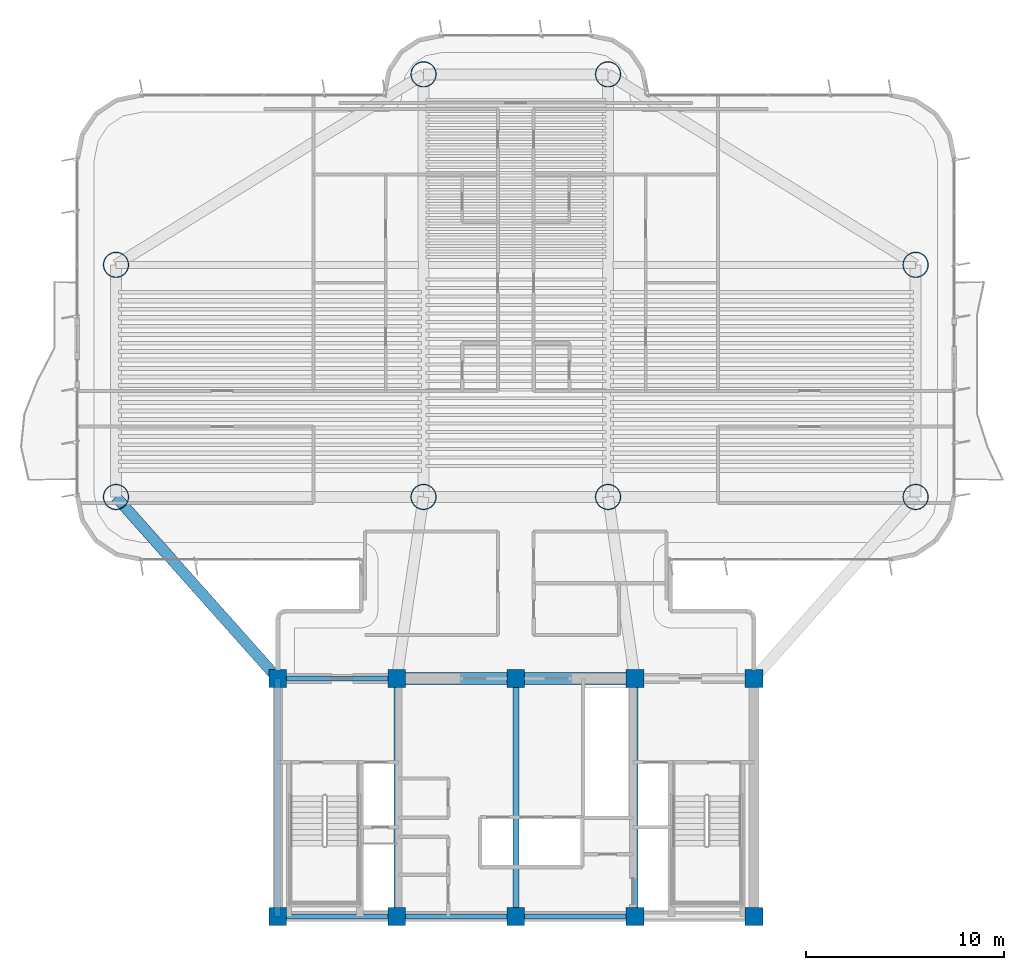
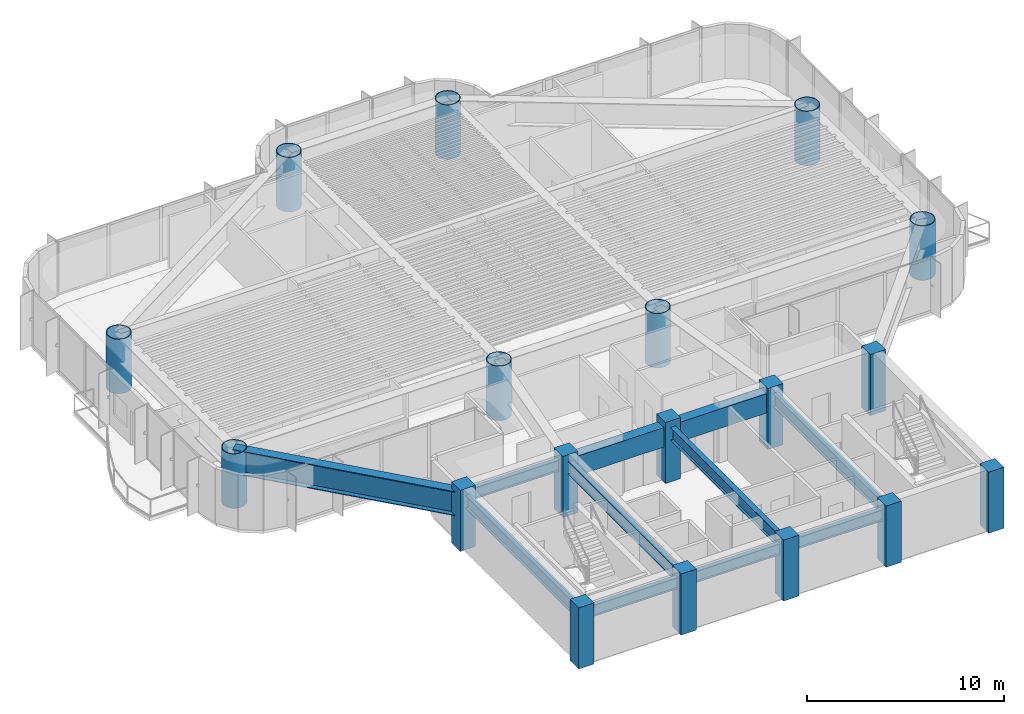
# One storey, part 1 of 15: 18 columns, 10 beams.
"""IFC4 building model written with IfcOpenShell, lengths in metres."""

from ifc_helpers import new_model, si_unit, direction, frame, origin, origin_2d, place, context, subcontext, project, spatial, rectangle, hollow_circle, i_section, extrude, source, transform, mapped, material, material_profile, profile_set, type_object, element, save


model = new_model("IFC4")

# Units and contexts
model_context = context("Model", 3, precision=1e-05, world=origin(), true_north=direction((0.0, 1.0)))
body_context = subcontext(model_context, "Body", "Model", "MODEL_VIEW")
ifc_project = project(units=[si_unit("LENGTHUNIT", "METRE"), si_unit("AREAUNIT", "SQUARE_METRE"), si_unit("VOLUMEUNIT", "CUBIC_METRE"), si_unit("PLANEANGLEUNIT", "RADIAN"), si_unit("MASSUNIT", "GRAM", prefix="KILO")], contexts=[model_context])

# Site, building, storey
site_placement = place(None, origin())
site = spatial("IfcSite", under=ifc_project, at=site_placement, CompositionType="ELEMENT")
building_placement = place(site_placement, origin())
building = spatial("IfcBuilding", under=site, at=building_placement, Name="Brelvock Crest Care Tower", CompositionType="ELEMENT")
storey_placement = place(building_placement, frame((0.0, 0.0, 142.739990234375)))
storey = spatial("IfcBuildingStorey", under=building, at=storey_placement, Name="L36", CompositionType="ELEMENT", Elevation=142.739990234375)

# Columns
ifc_material_1 = material(Name="Concrete S80 (80 MPa)", Category="concrete")
ifc_material_profile_1 = material_profile(ifc_material_1, rectangle(XDim=0.89990234375, YDim=0.89990234375, at=origin_2d()), Name="RC900x900")
ifc_profile_set_1 = profile_set([ifc_material_profile_1], Name="Concrete S80 (80 MPa)")
column_type_1 = type_object("IfcColumnType", Name="COL-RC2", PredefinedType="COLUMN", material=ifc_profile_set_1)
shared_shape_1 = source(origin(), body_context, "Body", "SweptSolid", [
    extrude(rectangle(XDim=0.89990234375, YDim=0.89990234375, at=origin_2d()), origin(), (0.0, 0.0, 1.0), 3.780029296875),
])
for number, where, z_axis, x_axis, name in (
    (1, (24.0, 6.0, 0.0), (0.0, 0.0, 1.0), (1.0, 0.0, 0.0), "L36 Core Column CC-01"),
    (2, (30.0, 6.0, 0.0), (0.0, 0.0, 1.0), (1.0, 0.0, 0.0), "L36 Core Column CC-02"),
    (3, (36.0, 6.0, 0.0), (0.0, 0.0, 1.0), (1.0, 0.0, 0.0), "L36 Core Column CC-03"),
    (4, (42.0, 6.0, 0.0), (0.0, 0.0, 1.0), (1.0, 0.0, 0.0), "L36 Core Column CC-04"),
    (5, (48.0, 6.0, 0.0), (0.0, 0.0, 1.0), (1.0, 0.0, 0.0), "L36 Core Column CC-05"),
    (6, (24.0, 18.0, 0.0), (0.0, 0.0, 1.0), (1.0, 0.0, 0.0), "L36 Core Column CC-06"),
    (7, (30.0, 18.0, 0.0), (0.0, 0.0, 1.0), (1.0, 0.0, 0.0), "L36 Core Column CC-07"),
    (8, (36.0, 18.0, 0.0), (0.0, 0.0, 1.0), (1.0, 0.0, 0.0), "L36 Core Column CC-08"),
    (9, (42.0, 18.0, 0.0), (0.0, 0.0, 1.0), (1.0, 0.0, 0.0), "L36 Core Column CC-09"),
    (10, (48.0, 18.0, 0.0), (0.0, 0.0, 1.0), (1.0, 0.0, 0.0), "L36 Core Column CC-10"),
):
    element("IfcColumn", number, at=place(storey_placement, frame(where, z_axis=z_axis, x_axis=x_axis)), inside=storey, type_object=column_type_1, Name=name, PredefinedType="COLUMN", context=body_context, shape_type="MappedRepresentation", body=[
        mapped(shared_shape_1, transform((0.0, 0.0, 0.0), x_axis=(1.0, 0.0, 0.0), y_axis=(0.0, 1.0, 0.0), z_axis=(0.0, 0.0, 1.0), scale=1.0)),
    ])
ifc_material_2 = material(Name="Steel Grade 350", Category="steel")
ifc_material_profile_2 = material_profile(ifc_material_2, hollow_circle(Radius=0.64990234375, WallThickness=0.044921875, at=origin_2d()), Name="CFT1300x45")
ifc_profile_set_2 = profile_set([ifc_material_profile_2], Name="Steel Grade 350")
column_type_2 = type_object("IfcColumnType", Name="COL-MC2", PredefinedType="COLUMN", material=ifc_profile_set_2)
shared_shape_2 = source(origin(), body_context, "Body", "SweptSolid", [
    extrude(hollow_circle(Radius=0.64990234375, WallThickness=0.044921875, at=origin_2d()), origin(), (0.0, 0.0, 1.0), 3.3720703125),
])
for number, where, z_axis, x_axis, name in (
    (11, (15.85009765625, 27.14990234375, 0.0), (0.0, 0.0, 1.0), (1.0, 0.0, 0.0), "L36 Tower Column M1"),
    (12, (15.85009765625, 38.85009765625, 0.0), (0.0, 0.0, 1.0), (1.0, 0.0, 0.0), "L36 Tower Column M2"),
    (13, (56.14990234375, 27.14990234375, 0.0), (0.0, 0.0, 1.0), (1.0, 0.0, 0.0), "L36 Tower Column M3"),
    (14, (56.14990234375, 38.85009765625, 0.0), (0.0, 0.0, 1.0), (1.0, 0.0, 0.0), "L36 Tower Column M4"),
    (15, (31.35009765625, 27.14990234375, 0.0), (0.0, 0.0, 1.0), (1.0, 0.0, 0.0), "L36 Tower Column M5"),
    (16, (40.64990234375, 27.14990234375, 0.0), (0.0, 0.0, 1.0), (1.0, 0.0, 0.0), "L36 Tower Column M6"),
    (17, (31.35009765625, 48.449951171875, 0.0), (0.0, 0.0, 1.0), (1.0, 0.0, 0.0), "L36 Tower Column M7"),
    (18, (40.64990234375, 48.449951171875, 0.0), (0.0, 0.0, 1.0), (1.0, 0.0, 0.0), "L36 Tower Column M8"),
):
    element("IfcColumn", number, at=place(storey_placement, frame(where, z_axis=z_axis, x_axis=x_axis)), inside=storey, type_object=column_type_2, Name=name, PredefinedType="COLUMN", context=body_context, shape_type="MappedRepresentation", body=[
        mapped(shared_shape_2, transform((0.0, 0.0, 0.0), x_axis=(1.0, 0.0, 0.0), y_axis=(0.0, 1.0, 0.0), z_axis=(0.0, 0.0, 1.0), scale=1.0)),
    ])

# Beams
ifc_material_profile_3 = material_profile(ifc_material_1, rectangle(XDim=0.60009765625, YDim=1.199951171875, at=origin_2d()), Name="RC600x1200")
ifc_profile_set_3 = profile_set([ifc_material_profile_3], Name="Concrete S80 (80 MPa)")
beam_type_1 = type_object("IfcBeamType", Name="BM-LN1", PredefinedType="LINTEL", material=ifc_profile_set_3)
shared_shape_3 = source(origin(), body_context, "Body", "SweptSolid", [
    extrude(rectangle(XDim=0.60009765625, YDim=1.199951171875, at=origin_2d()), origin(), (0.0, 0.0, 1.0), 12.0),
])
beam_1_placement = place(storey_placement, frame((30.0, 18.0, 2.77197265625), z_axis=(1.0, 0.0, 0.0), x_axis=(0.0, 1.0, 0.0)))
element("IfcBeam", 19, at=beam_1_placement, inside=storey, type_object=beam_type_1, Name="L36 Core Coupling Lintel Beam", PredefinedType="LINTEL", context=body_context, shape_type="MappedRepresentation", body=[
    mapped(shared_shape_3, transform((0.0, 0.0, 0.0), x_axis=(1.0, 0.0, 0.0), y_axis=(0.0, 1.0, 0.0), z_axis=(0.0, 0.0, 1.0), scale=1.0)),
])
ifc_material_profile_4 = material_profile(ifc_material_2, i_section(OverallWidth=0.25, OverallDepth=0.699951171875, WebThickness=0.011962890625, FlangeThickness=0.02001953125, at=origin_2d()), Name="700WB150")
ifc_profile_set_4 = profile_set([ifc_material_profile_4], Name="Steel Grade 350")
beam_type_2 = type_object("IfcBeamType", Name="BM-G4", PredefinedType="BEAM", material=ifc_profile_set_4)
shared_shape_4 = source(origin(), body_context, "Body", "SweptSolid", [
    extrude(i_section(OverallWidth=0.25, OverallDepth=0.699951171875, WebThickness=0.011962890625, FlangeThickness=0.02001953125, at=origin_2d()), origin(), (0.0, 0.0, 1.0), 6.0),
])
for number, where, z_axis, x_axis, name in (
    (20, (24.0, 6.0, 3.02197265625), (1.0, 0.0, 0.0), (0.0, 1.0, 0.0), "BM-CORES-L36-1"),
    (21, (24.0, 18.0, 3.02197265625), (1.0, 0.0, 0.0), (0.0, 1.0, 0.0), "BM-COREN-L36-1"),
    (22, (30.0, 6.0, 3.02197265625), (1.0, 0.0, 0.0), (0.0, 1.0, 0.0), "BM-CORES-L36-2"),
    (23, (36.0, 6.0, 3.02197265625), (1.0, 0.0, 0.0), (0.0, 1.0, 0.0), "BM-CORES-L36-3"),
):
    element("IfcBeam", number, at=place(storey_placement, frame(where, z_axis=z_axis, x_axis=x_axis)), inside=storey, type_object=beam_type_2, Name=name, PredefinedType="BEAM", context=body_context, shape_type="MappedRepresentation", body=[
        mapped(shared_shape_4, transform((0.0, 0.0, 0.0), x_axis=(1.0, 0.0, 0.0), y_axis=(0.0, 1.0, 0.0), z_axis=(0.0, 0.0, 1.0), scale=1.0)),
    ])
ifc_material_profile_5 = material_profile(ifc_material_2, i_section(OverallWidth=0.300048828125, OverallDepth=0.800048828125, WebThickness=0.013916015625, FlangeThickness=0.02197265625, at=origin_2d()), Name="800WB192")
ifc_profile_set_5 = profile_set([ifc_material_profile_5], Name="Steel Grade 350")
beam_type_3 = type_object("IfcBeamType", Name="BM-G5", PredefinedType="BEAM", material=ifc_profile_set_5)
shared_shape_5 = source(origin(), body_context, "Body", "SweptSolid", [
    extrude(i_section(OverallWidth=0.300048828125, OverallDepth=0.800048828125, WebThickness=0.013916015625, FlangeThickness=0.02197265625, at=origin_2d()), origin(), (0.0, 0.0, 1.0), 12.0),
])
for number, where, z_axis, x_axis, name in (
    (24, (24.0, 6.0, 2.971923828125), (0.0, 1.0, 0.0), (-1.0, 0.0, 0.0), "BM-COREX-L36-1"),
    (25, (30.0, 6.0, 2.971923828125), (0.0, 1.0, 0.0), (-1.0, 0.0, 0.0), "BM-COREX-L36-2"),
    (26, (36.0, 6.0, 2.971923828125), (0.0, 1.0, 0.0), (-1.0, 0.0, 0.0), "BM-COREX-L36-3"),
    (27, (42.0, 6.0, 2.971923828125), (0.0, 1.0, 0.0), (-1.0, 0.0, 0.0), "BM-COREX-L36-4"),
):
    element("IfcBeam", number, at=place(storey_placement, frame(where, z_axis=z_axis, x_axis=x_axis)), inside=storey, type_object=beam_type_3, Name=name, PredefinedType="BEAM", context=body_context, shape_type="MappedRepresentation", body=[
        mapped(shared_shape_5, transform((0.0, 0.0, 0.0), x_axis=(1.0, 0.0, 0.0), y_axis=(0.0, 1.0, 0.0), z_axis=(0.0, 0.0, 1.0), scale=1.0)),
    ])
ifc_material_profile_6 = material_profile(ifc_material_2, i_section(OverallWidth=0.550048828125, OverallDepth=1.5, WebThickness=0.02392578125, FlangeThickness=0.044921875, at=origin_2d()), Name="1500TG580")
ifc_profile_set_6 = profile_set([ifc_material_profile_6], Name="Steel Grade 350")
beam_type_4 = type_object("IfcBeamType", Name="BM-TG2", PredefinedType="USERDEFINED", material=ifc_profile_set_6)
shared_shape_6 = source(origin(), body_context, "Body", "SweptSolid", [
    extrude(i_section(OverallWidth=0.550048828125, OverallDepth=1.5, WebThickness=0.02392578125, FlangeThickness=0.044921875, at=origin_2d()), origin(), (0.0, 0.0, 1.0), 12.253173828125),
])
beam_2_placement = place(storey_placement, frame((24.0, 18.0, 2.6220703125), z_axis=(-0.665122829149, 0.746733970129, 0.0), x_axis=(-0.746733970129, -0.665122829149, 0.0)))
element("IfcBeam", 28, at=beam_2_placement, inside=storey, type_object=beam_type_4, Name="BM-THRO-W-L36", ObjectType="GIRDER", PredefinedType="USERDEFINED", context=body_context, shape_type="MappedRepresentation", body=[
    mapped(shared_shape_6, transform((0.0, 0.0, 0.0), x_axis=(1.0, 0.0, 0.0), y_axis=(0.0, 1.0, 0.0), z_axis=(0.0, 0.0, 1.0), scale=1.0)),
])

save(model, "model.ifc")
